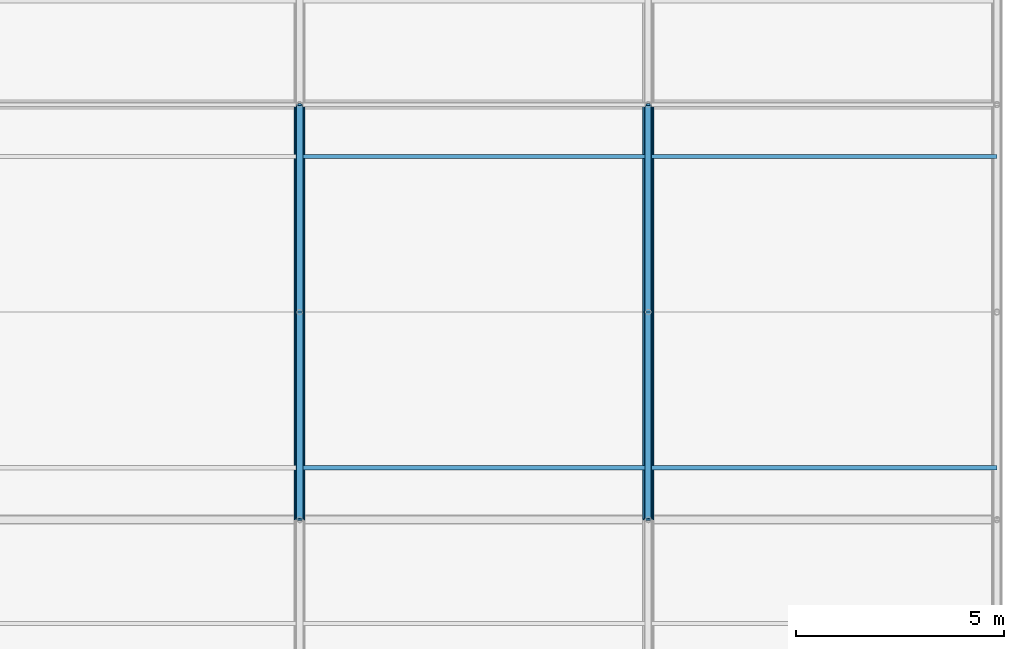
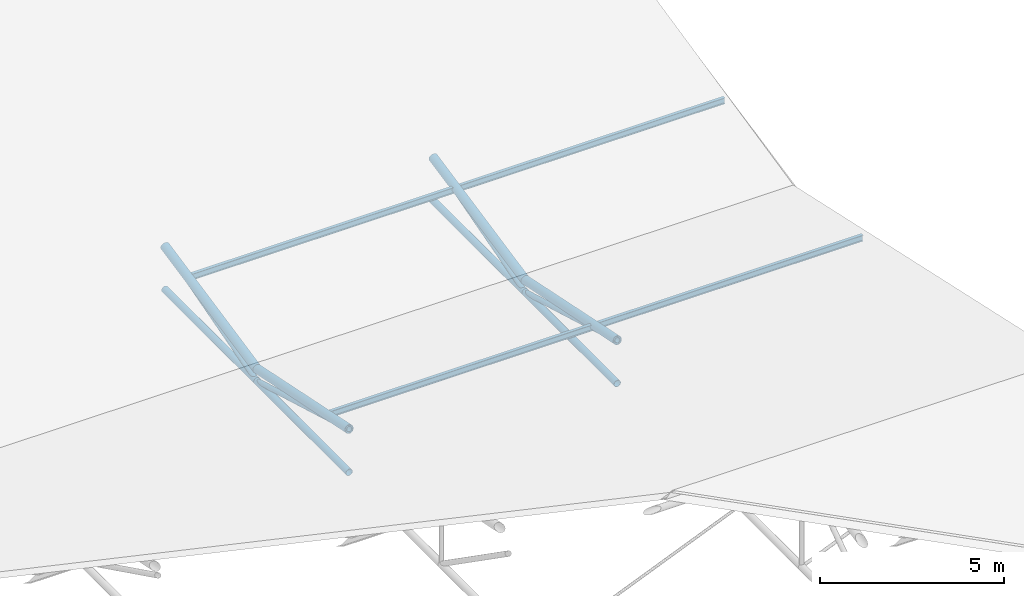
# One storey, part 103 of 194: 12 members, 4 beams.
"""IFC4 building model written with IfcOpenShell, lengths in metres."""

from ifc_helpers import new_model, si_unit, direction, frame, origin, origin_2d, place, context, subcontext, project, spatial, hollow_circle, i_section, extrude, material, material_profile, profile_set, type_object, element, save


model = new_model("IFC4")

# Units and contexts
model_context = context("Model", 3, precision=1e-05, world=origin(), true_north=direction((0.0, 1.0)))
body_context = subcontext(model_context, "Body", "Model", "MODEL_VIEW")
ifc_project = project(units=[si_unit("LENGTHUNIT", "METRE"), si_unit("AREAUNIT", "SQUARE_METRE"), si_unit("VOLUMEUNIT", "CUBIC_METRE"), si_unit("PLANEANGLEUNIT", "RADIAN"), si_unit("MASSUNIT", "GRAM", prefix="KILO")], contexts=[model_context])

# Site, building, storey
site_placement = place(None, origin())
site = spatial("IfcSite", under=ifc_project, at=site_placement, CompositionType="ELEMENT")
building_placement = place(site_placement, origin())
building = spatial("IfcBuilding", under=site, at=building_placement, Name="Kazenagashi Tramway Depot", CompositionType="ELEMENT")
storey_placement = place(building_placement, frame((0.0, 0.0, 23.7)))
storey = spatial("IfcBuildingStorey", under=building, at=storey_placement, Name="ROOF", CompositionType="ELEMENT", Elevation=23.7)

# Beams
ifc_material_1 = material(Name="Steel SN400B", Category="steel")
ifc_material_profile_1 = material_profile(ifc_material_1, i_section(OverallWidth=0.1, OverallDepth=0.2, WebThickness=0.0055, FlangeThickness=0.008, at=origin_2d()), Name="H-200x100x5.5x8")
ifc_profile_set_1 = profile_set([ifc_material_profile_1], Name="Steel SN400B")
beam_type = type_object("IfcBeamType", Name="PR-01", PredefinedType="USERDEFINED", material=ifc_profile_set_1)
for number, where, z_axis, x_axis, name in (
    (1, (179.2, 96.25, -12.955), (1.0, 0.0, 0.0), (0.0, 1.0, 0.0), "Beam PR-01 BM-2124"),
    (2, (187.6, 96.25, -12.955), (1.0, 0.0, 0.0), (0.0, 1.0, 0.0), "Beam PR-01 BM-2125"),
    (3, (179.2, 103.75, -12.955), (1.0, 0.0, 0.0), (0.0, 1.0, 0.0), "Beam PR-01 BM-2142"),
    (4, (187.6, 103.75, -12.955), (1.0, 0.0, 0.0), (0.0, 1.0, 0.0), "Beam PR-01 BM-2143"),
):
    element("IfcBeam", number, at=place(storey_placement, frame(where, z_axis=z_axis, x_axis=x_axis)), inside=storey, type_object=beam_type, Name=name, ObjectType="PURLIN", PredefinedType="USERDEFINED", context=body_context, shape_type="SweptSolid", body=[
        extrude(i_section(OverallWidth=0.1, OverallDepth=0.2, WebThickness=0.0055, FlangeThickness=0.008, at=origin_2d()), origin(), (0.0, 0.0, 1.0), 8.4),
    ])

# Members
ifc_material_2 = material(Name="Steel STK490", Category="steel")
ifc_material_profile_2 = material_profile(ifc_material_2, hollow_circle(Radius=0.1337, WallThickness=0.0093, at=origin_2d()), Name="CHS-267.4x9.3")
ifc_profile_set_2 = profile_set([ifc_material_profile_2], Name="Steel STK490")
member_type_1 = type_object("IfcMemberType", Name="TC-01", PredefinedType="CHORD", material=ifc_profile_set_2)
for number, where, z_axis, x_axis, name in (
    (5, (179.2, 95.0, -12.667), (0.0, 0.979317999984, -0.202327098797), (-1.0, 0.0, 0.0), "Tubular Space Frame TC-01 MEM-0992"),
    (6, (179.2, 100.0, -13.7), (0.0, 0.979317999984, 0.202327098797), (-1.0, 0.0, 0.0), "Tubular Space Frame TC-01 MEM-1008"),
    (7, (187.6, 95.0, -12.667), (0.0, 0.979317999984, -0.202327098797), (-1.0, 0.0, 0.0), "Tubular Space Frame TC-01 MEM-1053"),
    (8, (187.6, 100.0, -13.7), (0.0, 0.979317999984, 0.202327098797), (-1.0, 0.0, 0.0), "Tubular Space Frame TC-01 MEM-1069"),
):
    element("IfcMember", number, at=place(storey_placement, frame(where, z_axis=z_axis, x_axis=x_axis)), inside=storey, type_object=member_type_1, Name=name, PredefinedType="CHORD", context=body_context, shape_type="SweptSolid", body=[
        extrude(hollow_circle(Radius=0.1337, WallThickness=0.0093, at=origin_2d()), origin(), (0.0, 0.0, 1.0), 5.105594),
    ])
ifc_material_profile_3 = material_profile(ifc_material_2, hollow_circle(Radius=0.10815, WallThickness=0.0082, at=origin_2d()), Name="CHS-216.3x8.2")
ifc_profile_set_3 = profile_set([ifc_material_profile_3], Name="Steel STK490")
member_type_2 = type_object("IfcMemberType", Name="TC-02", PredefinedType="CHORD", material=ifc_profile_set_3)
for number, where, z_axis, x_axis, name in (
    (9, (179.2, 95.0, -14.1), (0.0, 1.0, 0.0), (-1.0, 0.0, 0.0), "Tubular Space Frame TC-02 MEM-0993"),
    (10, (179.2, 100.0, -14.1), (0.0, 1.0, 0.0), (-1.0, 0.0, 0.0), "Tubular Space Frame TC-02 MEM-1009"),
    (11, (187.6, 95.0, -14.1), (0.0, 1.0, 0.0), (-1.0, 0.0, 0.0), "Tubular Space Frame TC-02 MEM-1054"),
    (12, (187.6, 100.0, -14.1), (0.0, 1.0, 0.0), (-1.0, 0.0, 0.0), "Tubular Space Frame TC-02 MEM-1070"),
):
    element("IfcMember", number, at=place(storey_placement, frame(where, z_axis=z_axis, x_axis=x_axis)), inside=storey, type_object=member_type_2, Name=name, PredefinedType="CHORD", context=body_context, shape_type="SweptSolid", body=[
        extrude(hollow_circle(Radius=0.10815, WallThickness=0.0082, at=origin_2d()), origin(), (0.0, 0.0, 1.0), 5.0),
    ])
ifc_material_profile_4 = material_profile(ifc_material_2, hollow_circle(Radius=0.0826, WallThickness=0.0071, at=origin_2d()), Name="CHS-165.2x7.1")
ifc_profile_set_4 = profile_set([ifc_material_profile_4], Name="Steel STK490")
member_type_3 = type_object("IfcMemberType", Name="TS-01", PredefinedType="STRUT", material=ifc_profile_set_4)
for number, where, z_axis, x_axis, name in (
    (13, (179.2, 95.0, -12.667), (0.0, 0.961298717795, -0.27550821252), (-1.0, 0.0, 0.0), "Tubular Space Frame TS-01 MEM-0994"),
    (14, (179.2, 100.0, -14.1), (0.0, 0.961298717795, 0.27550821252), (-1.0, 0.0, 0.0), "Tubular Space Frame TS-01 MEM-1010"),
    (15, (187.6, 95.0, -12.667), (0.0, 0.961298717795, -0.27550821252), (-1.0, 0.0, 0.0), "Tubular Space Frame TS-01 MEM-1055"),
    (16, (187.6, 100.0, -14.1), (0.0, 0.961298717795, 0.27550821252), (-1.0, 0.0, 0.0), "Tubular Space Frame TS-01 MEM-1071"),
):
    element("IfcMember", number, at=place(storey_placement, frame(where, z_axis=z_axis, x_axis=x_axis)), inside=storey, type_object=member_type_3, Name=name, PredefinedType="STRUT", context=body_context, shape_type="SweptSolid", body=[
        extrude(hollow_circle(Radius=0.0826, WallThickness=0.0071, at=origin_2d()), origin(), (0.0, 0.0, 1.0), 5.201297),
    ])

save(model, "model.ifc")
